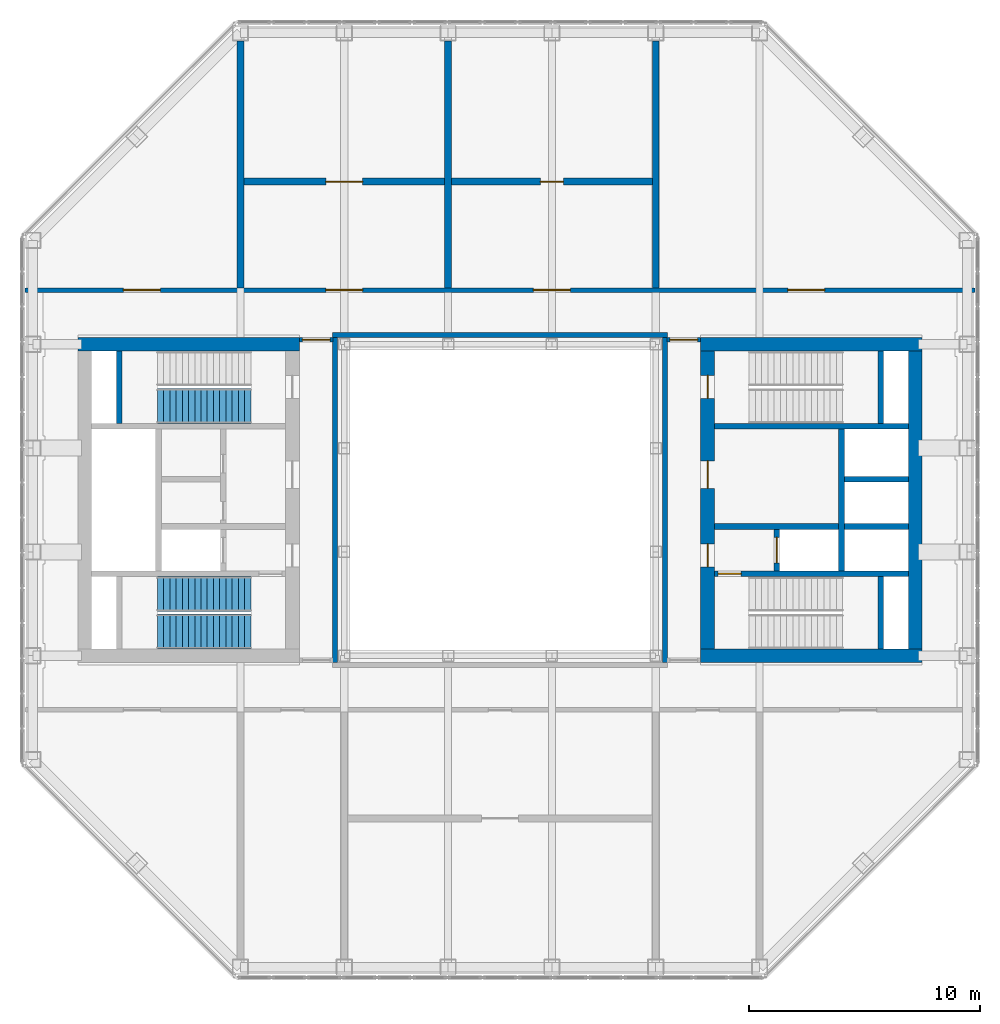
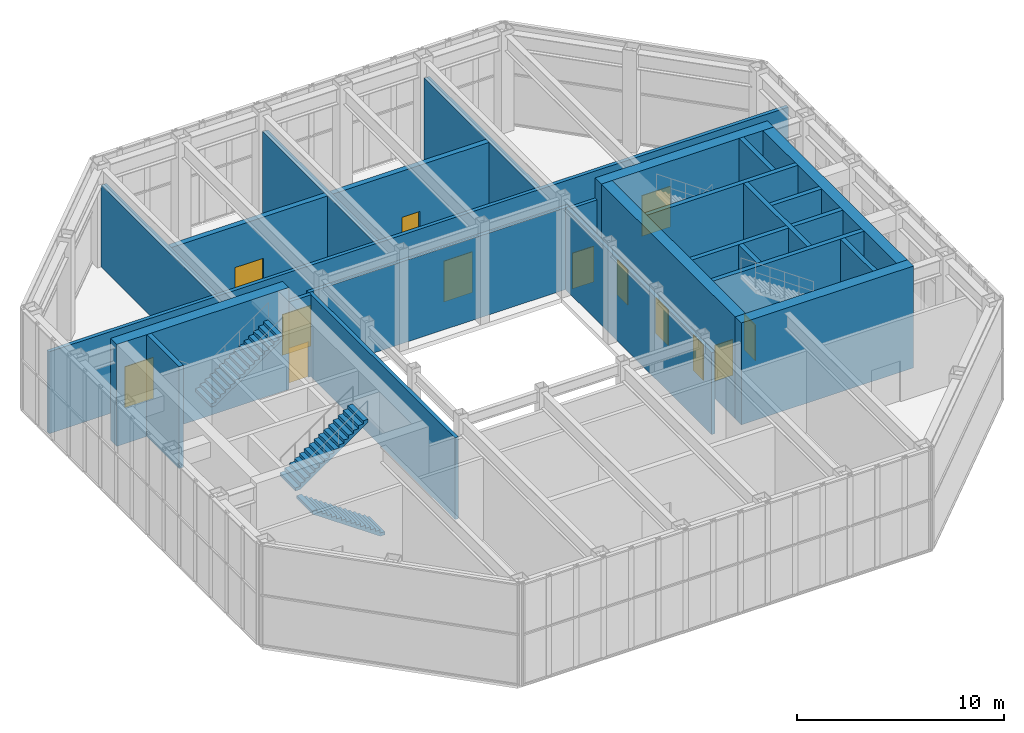
# One storey, part 10 of 12: 26 walls, 13 doors, 3 stair flights, 13 openings, 2 elements without a shape of their own.
"""IFC4 building model written with IfcOpenShell, lengths in metres."""

from ifc_helpers import new_model, si_unit, direction, frame, frame_2d, origin, place, context, subcontext, project, spatial, polyline, rectangle, outline, extrude, material, layer, layer_set, type_object, element, fill, aggregate, save


model = new_model("IFC4")

# Units and contexts
model_context = context("Model", 3, precision=1e-05, world=origin(), true_north=direction((0.0, 1.0)))
body_context = subcontext(model_context, "Body", "Model", "MODEL_VIEW")
ifc_project = project(units=[si_unit("LENGTHUNIT", "METRE"), si_unit("AREAUNIT", "SQUARE_METRE"), si_unit("VOLUMEUNIT", "CUBIC_METRE"), si_unit("PLANEANGLEUNIT", "RADIAN"), si_unit("MASSUNIT", "GRAM", prefix="KILO")], contexts=[model_context])

# Site, building, storey
site_placement = place(None, origin())
site = spatial("IfcSite", under=ifc_project, at=site_placement, CompositionType="ELEMENT")
building_placement = place(site_placement, origin())
building = spatial("IfcBuilding", under=site, at=building_placement, Name="Msasa Ring Tower", CompositionType="ELEMENT")
storey_placement = place(building_placement, frame((0.0, 0.0, 262.050048828125)))
storey = spatial("IfcBuildingStorey", under=building, at=storey_placement, Name="L68", CompositionType="ELEMENT", Elevation=262.050048828125)

# Walls
ifc_material_1 = material(Name="Concrete C60/75", Category="concrete")
ifc_layer_1 = layer(ifc_material_1, 0.60009765625)
ifc_layer_set_1 = layer_set([ifc_layer_1], Name="CW3 CORE WALL 600")
wall_type_1 = type_object("IfcWallType", Name="CW3 CORE WALL 600", PredefinedType="SHEAR", material=ifc_layer_set_1)
for number, where, z_axis, x_axis, name in (
    (1, (8.699951171875, -6.75, 0.0), (0.0, 0.0, 1.0), (1.0, 0.0, 0.0), "E core wall S L68"),
    (2, (8.699951171875, 6.75, 0.0), (0.0, 0.0, 1.0), (1.0, 0.0, 0.0), "E core wall N L68"),
):
    element("IfcWall", number, at=place(storey_placement, frame(where, z_axis=z_axis, x_axis=x_axis)), inside=storey, type_object=wall_type_1, Name=name, PredefinedType="SHEAR", context=body_context, shape_type="SweptSolid", body=[
        extrude(rectangle(XDim=9.60009765625, YDim=0.60009765625, at=frame_2d((4.800048828125, 0.0))), origin(), (0.0, 0.0, 1.0), 6.0),
    ])

# Wall, openings, doors
wall_1_placement = place(storey_placement, frame((9.0, -6.449951171875, 0.0), z_axis=(0.0, 0.0, 1.0), x_axis=(0.0, 1.0, 0.0)))
wall_1 = element("IfcWall", 3, at=wall_1_placement, inside=storey, type_object=wall_type_1, Name="E core wall W L68", PredefinedType="SHEAR", context=body_context, shape_type="SweptSolid", body=[
    extrude(rectangle(XDim=12.89990234375, YDim=0.60009765625, at=frame_2d((6.449951171875, 0.0))), origin(), (0.0, 0.0, 1.0), 6.0),
])
opening_1_placement = place(wall_1_placement, frame((3.550048828125, 0.0, 0.0)))
opening_1 = element("IfcOpeningElement", 4, at=opening_1_placement, cuts=wall_1, Name="Opening L68-016", PredefinedType="OPENING", context=body_context, shape_type="SweptSolid", body=[
    extrude(rectangle(XDim=1.0, YDim=2.10009765625, at=frame_2d((0.5, 1.050048828125))), frame((0.0, 0.31005859375, 0.0), z_axis=(0.0, -1.0, 0.0), x_axis=(1.0, 0.0, 0.0)), (0.0, 0.0, 1.0), 0.6201171875),
])
opening_2_placement = place(wall_1_placement, frame((6.949951171875, 0.0, 0.0)))
opening_2 = element("IfcOpeningElement", 5, at=opening_2_placement, cuts=wall_1, Name="Opening L68-013", PredefinedType="OPENING", context=body_context, shape_type="SweptSolid", body=[
    extrude(rectangle(XDim=1.199951171875, YDim=2.10009765625, at=frame_2d((0.60009765625, 1.050048828125))), frame((0.0, 0.31005859375, 0.0), z_axis=(0.0, -1.0, 0.0), x_axis=(1.0, 0.0, 0.0)), (0.0, 0.0, 1.0), 0.6201171875),
])
opening_3_placement = place(wall_1_placement, frame((10.85009765625, 0.0, 0.0)))
opening_3 = element("IfcOpeningElement", 6, at=opening_3_placement, cuts=wall_1, Name="Opening L68-010", PredefinedType="OPENING", context=body_context, shape_type="SweptSolid", body=[
    extrude(rectangle(XDim=1.0, YDim=2.10009765625, at=frame_2d((0.5, 1.050048828125))), frame((0.0, 0.31005859375, 0.0), z_axis=(0.0, -1.0, 0.0), x_axis=(1.0, 0.0, 0.0)), (0.0, 0.0, 1.0), 0.6201171875),
])
ifc_material_2 = material(Name="Timber door leaf in a steel frame", Category="steel")
door_type_1 = type_object("IfcDoorType", Name="D26 WIDE SERVICE ROOM DOOR 1200x2100", OperationType="SINGLE_SWING_LEFT", PredefinedType="DOOR", material=ifc_material_2)
door_1_placement = place(opening_2_placement, origin())
door_1 = element("IfcDoor", 7, at=door_1_placement, inside=storey, type_object=door_type_1, Name="Door L68-ECR", OperationType="SINGLE_SWING_RIGHT", OverallHeight=2.10009765625, OverallWidth=1.199951171875, PredefinedType="DOOR", context=body_context, shape_type="SweptSolid", body=[
    extrude(rectangle(XDim=1.199951171875, YDim=2.10009765625, at=frame_2d((0.60009765625, 1.050048828125))), frame((0.0, 0.02490234375, 0.0), z_axis=(0.0, -1.0, 0.0), x_axis=(1.0, 0.0, 0.0)), (0.0, 0.0, 1.0), 0.050048828125),
])
fill(opening_2, door_1)
ifc_material_3 = material(Name="Timber door leaf in a steel frame", Category="steel")
door_type_2 = type_object("IfcDoorType", Name="D4 LOBBY DOOR 1000x2100", OperationType="SINGLE_SWING_LEFT", PredefinedType="DOOR", material=ifc_material_3)
door_2_placement = place(opening_1_placement, origin())
door_2 = element("IfcDoor", 8, at=door_2_placement, inside=storey, type_object=door_type_2, Name="Door L68-EFFL", OperationType="SINGLE_SWING_LEFT", OverallHeight=2.10009765625, OverallWidth=1.0, PredefinedType="DOOR", context=body_context, shape_type="SweptSolid", body=[
    extrude(rectangle(XDim=1.0, YDim=2.10009765625, at=frame_2d((0.5, 1.050048828125))), frame((0.0, 0.02490234375, 0.0), z_axis=(0.0, -1.0, 0.0), x_axis=(1.0, 0.0, 0.0)), (0.0, 0.0, 1.0), 0.050048828125),
])
fill(opening_1, door_2)
ifc_material_4 = material(Name="Timber door leaf in a steel frame", Category="steel")
door_type_3 = type_object("IfcDoorType", Name="D6 STAIR DOOR 1000x2100", OperationType="SINGLE_SWING_LEFT", PredefinedType="DOOR", material=ifc_material_4)
door_3_placement = place(opening_3_placement, origin())
door_3 = element("IfcDoor", 9, at=door_3_placement, inside=storey, type_object=door_type_3, Name="Door L68-ESTB", OperationType="SINGLE_SWING_RIGHT", OverallHeight=2.10009765625, OverallWidth=1.0, PredefinedType="DOOR", context=body_context, shape_type="SweptSolid", body=[
    extrude(rectangle(XDim=1.0, YDim=2.10009765625, at=frame_2d((0.5, 1.050048828125))), frame((0.0, 0.02490234375, 0.0), z_axis=(0.0, -1.0, 0.0), x_axis=(1.0, 0.0, 0.0)), (0.0, 0.0, 1.0), 0.050048828125),
])
fill(opening_3, door_3)

# Walls
wall_2_placement = place(storey_placement, frame((18.0, -6.449951171875, 0.0), z_axis=(0.0, 0.0, 1.0), x_axis=(0.0, 1.0, 0.0)))
element("IfcWall", 10, at=wall_2_placement, inside=storey, type_object=wall_type_1, Name="E core wall E L68", PredefinedType="SHEAR", context=body_context, shape_type="SweptSolid", body=[
    extrude(rectangle(XDim=12.89990234375, YDim=0.60009765625, at=frame_2d((6.449951171875, 0.0))), origin(), (0.0, 0.0, 1.0), 6.0),
])
wall_3_placement = place(storey_placement, frame((-8.699951171875, 6.75, 0.0), z_axis=(0.0, 0.0, 1.0), x_axis=(-1.0, 0.0, 0.0)))
element("IfcWall", 11, at=wall_3_placement, inside=storey, type_object=wall_type_1, Name="W core wall N L68", PredefinedType="SHEAR", context=body_context, shape_type="SweptSolid", body=[
    extrude(rectangle(XDim=9.60009765625, YDim=0.60009765625, at=frame_2d((4.800048828125, 0.0))), origin(), (0.0, 0.0, 1.0), 6.0),
])

# Wall, opening, door
ifc_material_5 = material(Name="Concrete C60/75", Category="concrete")
ifc_layer_2 = layer(ifc_material_5, 0.25)
ifc_layer_set_2 = layer_set([ifc_layer_2], Name="CW4 CORE INNER WALL 250")
wall_type_2 = type_object("IfcWallType", Name="CW4 CORE INNER WALL 250", PredefinedType="SHEAR", material=ifc_layer_set_2)
wall_4_placement = place(storey_placement, frame((9.300048828125, -3.199951171875, 0.0), z_axis=(0.0, 0.0, 1.0), x_axis=(1.0, 0.0, 0.0)))
wall_4 = element("IfcWall", 12, at=wall_4_placement, inside=storey, type_object=wall_type_2, Name="E core wall STAIRA L68", PredefinedType="SHEAR", context=body_context, shape_type="SweptSolid", body=[
    extrude(rectangle(XDim=8.39990234375, YDim=0.25, at=frame_2d((4.199951171875, 0.0))), origin(), (0.0, 0.0, 1.0), 6.0),
])
opening_4_placement = place(wall_4_placement, frame((0.14990234375, 0.0, 0.0)))
opening_4 = element("IfcOpeningElement", 13, at=opening_4_placement, cuts=wall_4, Name="Opening L68-018", PredefinedType="OPENING", context=body_context, shape_type="SweptSolid", body=[
    extrude(rectangle(XDim=1.0, YDim=2.10009765625, at=frame_2d((0.5, 1.050048828125))), frame((0.0, 0.135009765625, 0.0), z_axis=(0.0, -1.0, 0.0), x_axis=(1.0, 0.0, 0.0)), (0.0, 0.0, 1.0), 0.27001953125),
])
door_4_placement = place(opening_4_placement, origin())
door_4 = element("IfcDoor", 14, at=door_4_placement, inside=storey, type_object=door_type_3, Name="Door L68-ESTA", OperationType="SINGLE_SWING_LEFT", OverallHeight=2.10009765625, OverallWidth=1.0, PredefinedType="DOOR", context=body_context, shape_type="SweptSolid", body=[
    extrude(rectangle(XDim=1.0, YDim=2.10009765625, at=frame_2d((0.5, 1.050048828125))), frame((0.0, 0.02490234375, 0.0), z_axis=(0.0, -1.0, 0.0), x_axis=(1.0, 0.0, 0.0)), (0.0, 0.0, 1.0), 0.050048828125),
])
fill(opening_4, door_4)

# Walls
wall_5_placement = place(storey_placement, frame((9.300048828125, 3.199951171875, 0.0), z_axis=(0.0, 0.0, 1.0), x_axis=(1.0, 0.0, 0.0)))
element("IfcWall", 15, at=wall_5_placement, inside=storey, type_object=wall_type_2, Name="E core wall STAIRB L68", PredefinedType="SHEAR", context=body_context, shape_type="SweptSolid", body=[
    extrude(rectangle(XDim=8.39990234375, YDim=0.25, at=frame_2d((4.199951171875, 0.0))), origin(), (0.0, 0.0, 1.0), 6.0),
])
for number, where, z_axis, x_axis, name in (
    (16, (16.5, -6.449951171875, 0.0), (0.0, 0.0, 1.0), (0.0, 1.0, 0.0), "E core wall RISERA L68"),
    (17, (16.5, 3.324951171875, 0.0), (0.0, 0.0, 1.0), (0.0, 1.0, 0.0), "E core wall RISERB L68"),
):
    element("IfcWall", number, at=place(storey_placement, frame(where, z_axis=z_axis, x_axis=x_axis)), inside=storey, type_object=wall_type_2, Name=name, PredefinedType="SHEAR", context=body_context, shape_type="SweptSolid", body=[
        extrude(rectangle(XDim=3.125, YDim=0.25, at=frame_2d((1.5625, 0.0))), origin(), (0.0, 0.0, 1.0), 6.0),
    ])
wall_6_placement = place(storey_placement, frame((9.300048828125, -1.14990234375, 0.0), z_axis=(0.0, 0.0, 1.0), x_axis=(1.0, 0.0, 0.0)))
element("IfcWall", 18, at=wall_6_placement, inside=storey, type_object=wall_type_2, Name="E core wall FFL L68", PredefinedType="SHEAR", context=body_context, shape_type="SweptSolid", body=[
    extrude(rectangle(XDim=5.375, YDim=0.25, at=frame_2d((2.6875, 0.0))), origin(), (0.0, 0.0, 1.0), 6.0),
])

# Wall, opening, door
wall_7_placement = place(storey_placement, frame((12.0, -3.074951171875, 0.0), z_axis=(0.0, 0.0, 1.0), x_axis=(0.0, 1.0, 0.0)))
wall_7 = element("IfcWall", 19, at=wall_7_placement, inside=storey, type_object=wall_type_2, Name="E core wall LOBBY L68", PredefinedType="SHEAR", context=body_context, shape_type="SweptSolid", body=[
    extrude(rectangle(XDim=1.800048828125, YDim=0.25, at=frame_2d((0.89990234375, 0.0))), origin(), (0.0, 0.0, 1.0), 6.0),
])
opening_5_placement = place(wall_7_placement, frame((0.35009765625, 0.0, 0.0)))
opening_5 = element("IfcOpeningElement", 20, at=opening_5_placement, cuts=wall_7, Name="Opening LD1", PredefinedType="OPENING", context=body_context, shape_type="SweptSolid", body=[
    extrude(rectangle(XDim=1.10009765625, YDim=2.10009765625, at=frame_2d((0.550048828125, 1.050048828125))), frame((0.0, 0.135009765625, 0.0), z_axis=(0.0, -1.0, 0.0), x_axis=(1.0, 0.0, 0.0)), (0.0, 0.0, 1.0), 0.27001953125),
])
ifc_material_6 = material(Name="Stainless steel lift landing door", Category="steel")
door_type_4 = type_object("IfcDoorType", Name="LD1 LIFT LANDING DOOR 1100x2100", OperationType="DOUBLE_DOOR_SLIDING", PredefinedType="DOOR", material=ifc_material_6)
door_5_placement = place(opening_5_placement, origin())
door_5 = element("IfcDoor", 21, at=door_5_placement, inside=storey, type_object=door_type_4, Name="Lift landing door FL-E L68", OperationType="DOUBLE_DOOR_SLIDING", OverallHeight=2.10009765625, OverallWidth=1.10009765625, PredefinedType="DOOR", context=body_context, shape_type="SweptSolid", body=[
    extrude(rectangle(XDim=1.10009765625, YDim=2.10009765625, at=frame_2d((0.550048828125, 1.050048828125))), frame((0.0, 0.02490234375, 0.0), z_axis=(0.0, -1.0, 0.0), x_axis=(1.0, 0.0, 0.0)), (0.0, 0.0, 1.0), 0.050048828125),
])
fill(opening_5, door_5)

# Walls
wall_8_placement = place(storey_placement, frame((14.800048828125, -3.074951171875, 0.0), z_axis=(0.0, 0.0, 1.0), x_axis=(0.0, 1.0, 0.0)))
element("IfcWall", 22, at=wall_8_placement, inside=storey, type_object=wall_type_2, Name="E core wall SHAFT L68", PredefinedType="SHEAR", context=body_context, shape_type="SweptSolid", body=[
    extrude(rectangle(XDim=6.14990234375, YDim=0.25, at=frame_2d((3.074951171875, 0.0))), origin(), (0.0, 0.0, 1.0), 6.0),
])
for number, where, z_axis, x_axis, name in (
    (23, (14.925048828125, -1.14990234375, 0.0), (0.0, 0.0, 1.0), (1.0, 0.0, 0.0), "E core wall HSEP L68"),
    (24, (14.925048828125, 0.89990234375, 0.0), (0.0, 0.0, 1.0), (1.0, 0.0, 0.0), "E core wall HLIFT L68"),
):
    element("IfcWall", number, at=place(storey_placement, frame(where, z_axis=z_axis, x_axis=x_axis)), inside=storey, type_object=wall_type_2, Name=name, PredefinedType="SHEAR", context=body_context, shape_type="SweptSolid", body=[
        extrude(rectangle(XDim=2.77490234375, YDim=0.25, at=frame_2d((1.387451171875, 0.0))), origin(), (0.0, 0.0, 1.0), 6.0),
    ])
wall_9_placement = place(storey_placement, frame((-16.5, 3.324951171875, 0.0), z_axis=(0.0, 0.0, 1.0), x_axis=(0.0, 1.0, 0.0)))
element("IfcWall", 25, at=wall_9_placement, inside=storey, type_object=wall_type_2, Name="W core wall RISERB L68", PredefinedType="SHEAR", context=body_context, shape_type="SweptSolid", body=[
    extrude(rectangle(XDim=3.125, YDim=0.25, at=frame_2d((1.5625, 0.0))), origin(), (0.0, 0.0, 1.0), 6.0),
])
ifc_material_7 = material(Name="Terracotta rainscreen on blockwork", Category="masonry")
ifc_layer_3 = layer(ifc_material_7, 0.199951171875)
ifc_layer_set_3 = layer_set([ifc_layer_3], Name="FW4 LIGHT WELL WALL 200")
wall_type_3 = type_object("IfcWallType", Name="FW4 LIGHT WELL WALL 200", PredefinedType="SOLIDWALL", material=ifc_layer_set_3)
wall_10_placement = place(storey_placement, frame((-7.25, 7.14990234375, 0.0), z_axis=(0.0, 0.0, 1.0), x_axis=(1.0, 0.0, 0.0)))
element("IfcWall", 26, at=wall_10_placement, inside=storey, type_object=wall_type_3, Name="Light well wall N L68", PredefinedType="SOLIDWALL", context=body_context, shape_type="SweptSolid", body=[
    extrude(rectangle(XDim=14.5, YDim=0.199951171875, at=frame_2d((7.25, 0.0))), origin(), (0.0, 0.0, 1.0), 4.8232421875),
])
for number, where, z_axis, x_axis, name in (
    (27, (7.14990234375, -7.050048828125, 0.0), (0.0, 0.0, 1.0), (0.0, 1.0, 0.0), "Light well wall E L68"),
    (28, (-7.14990234375, -7.050048828125, 0.0), (0.0, 0.0, 1.0), (0.0, 1.0, 0.0), "Light well wall W L68"),
):
    element("IfcWall", number, at=place(storey_placement, frame(where, z_axis=z_axis, x_axis=x_axis)), inside=storey, type_object=wall_type_3, Name=name, PredefinedType="SOLIDWALL", context=body_context, shape_type="SweptSolid", body=[
        extrude(rectangle(XDim=14.10009765625, YDim=0.199951171875, at=frame_2d((7.050048828125, 0.0))), origin(), (0.0, 0.0, 1.0), 4.8232421875),
    ])

# Wall, opening, door
ifc_material_8 = material(Name="Concrete blockwork", Category="masonry")
ifc_layer_4 = layer(ifc_material_8, 0.199951171875)
ifc_layer_set_4 = layer_set([ifc_layer_4], Name="PT1 CORRIDOR WALL 200")
wall_type_4 = type_object("IfcWallType", Name="PT1 CORRIDOR WALL 200", PredefinedType="PARTITIONING", material=ifc_layer_set_4)
wall_11_placement = place(storey_placement, frame((7.22998046875, 6.949951171875, 0.0), z_axis=(0.0, 0.0, 1.0), x_axis=(1.0, 0.0, 0.0)))
wall_11 = element("IfcWall", 29, at=wall_11_placement, inside=storey, type_object=wall_type_4, Name="Corridor wall L68-SDEN", PredefinedType="PARTITIONING", context=body_context, shape_type="SweptSolid", body=[
    extrude(rectangle(XDim=1.469970703125, YDim=0.199951171875, at=frame_2d((0.73486328125, 0.0))), origin(), (0.0, 0.0, 1.0), 4.8232421875),
])
opening_6_placement = place(wall_11_placement, frame((0.135009765625, 0.0, 0.0)))
opening_6 = element("IfcOpeningElement", 30, at=opening_6_placement, cuts=wall_11, Name="Opening L68-008", PredefinedType="OPENING", context=body_context, shape_type="SweptSolid", body=[
    extrude(rectangle(XDim=1.199951171875, YDim=2.10009765625, at=frame_2d((0.60009765625, 1.050048828125))), frame((0.0, 0.10986328125, 0.0), z_axis=(0.0, -1.0, 0.0), x_axis=(1.0, 0.0, 0.0)), (0.0, 0.0, 1.0), 0.219970703125),
])
ifc_material_9 = material(Name="Timber door leaf in a steel frame", Category="steel")
door_type_5 = type_object("IfcDoorType", Name="D25 CORRIDOR PAIR OF SMOKE DOORS 1200x2100", OperationType="DOUBLE_DOOR_DOUBLE_SWING", PredefinedType="DOOR", material=ifc_material_9)
door_6_placement = place(opening_6_placement, origin())
door_6 = element("IfcDoor", 31, at=door_6_placement, inside=storey, type_object=door_type_5, Name="Door L68-SDEN", OperationType="DOUBLE_DOOR_DOUBLE_SWING", OverallHeight=2.10009765625, OverallWidth=1.199951171875, PredefinedType="DOOR", context=body_context, shape_type="SweptSolid", body=[
    extrude(rectangle(XDim=1.199951171875, YDim=2.10009765625, at=frame_2d((0.60009765625, 1.050048828125))), frame((0.0, 0.02490234375, 0.0), z_axis=(0.0, -1.0, 0.0), x_axis=(1.0, 0.0, 0.0)), (0.0, 0.0, 1.0), 0.050048828125),
])
fill(opening_6, door_6)

wall_12_placement = place(storey_placement, frame((-8.699951171875, 6.949951171875, 0.0), z_axis=(0.0, 0.0, 1.0), x_axis=(1.0, 0.0, 0.0)))
wall_12 = element("IfcWall", 32, at=wall_12_placement, inside=storey, type_object=wall_type_4, Name="Corridor wall L68-SDWN", PredefinedType="PARTITIONING", context=body_context, shape_type="SweptSolid", body=[
    extrude(rectangle(XDim=1.469970703125, YDim=0.199951171875, at=frame_2d((0.73486328125, 0.0))), origin(), (0.0, 0.0, 1.0), 4.8232421875),
])
opening_7_placement = place(wall_12_placement, frame((0.135009765625, 0.0, 0.0)))
opening_7 = element("IfcOpeningElement", 33, at=opening_7_placement, cuts=wall_12, Name="Opening L68-007", PredefinedType="OPENING", context=body_context, shape_type="SweptSolid", body=[
    extrude(rectangle(XDim=1.199951171875, YDim=2.10009765625, at=frame_2d((0.60009765625, 1.050048828125))), frame((0.0, 0.10986328125, 0.0), z_axis=(0.0, -1.0, 0.0), x_axis=(1.0, 0.0, 0.0)), (0.0, 0.0, 1.0), 0.219970703125),
])
door_7_placement = place(opening_7_placement, origin())
door_7 = element("IfcDoor", 34, at=door_7_placement, inside=storey, type_object=door_type_5, Name="Door L68-SDWN", OperationType="DOUBLE_DOOR_DOUBLE_SWING", OverallHeight=2.10009765625, OverallWidth=1.199951171875, PredefinedType="DOOR", context=body_context, shape_type="SweptSolid", body=[
    extrude(rectangle(XDim=1.199951171875, YDim=2.10009765625, at=frame_2d((0.60009765625, 1.050048828125))), frame((0.0, 0.02490234375, 0.0), z_axis=(0.0, -1.0, 0.0), x_axis=(1.0, 0.0, 0.0)), (0.0, 0.0, 1.0), 0.050048828125),
])
fill(opening_7, door_7)

# Wall, openings, doors
wall_13_placement = place(storey_placement, frame((-20.590087890625, 9.10009765625, 0.0), z_axis=(0.0, 0.0, 1.0), x_axis=(1.0, 0.0, 0.0)))
wall_13 = element("IfcWall", 35, at=wall_13_placement, inside=storey, type_object=wall_type_4, Name="Corridor wall L68-CORRN0", PredefinedType="PARTITIONING", context=body_context, shape_type="SweptSolid", body=[
    extrude(rectangle(XDim=41.18017578125, YDim=0.199951171875, at=frame_2d((20.590087890625, 0.0))), origin(), (0.0, 0.0, 1.0), 4.8232421875),
])
opening_8_placement = place(wall_13_placement, frame((4.264892578125, 0.0, 0.0)))
opening_8 = element("IfcOpeningElement", 36, at=opening_8_placement, cuts=wall_13, Name="Opening L68-003", PredefinedType="OPENING", context=body_context, shape_type="SweptSolid", body=[
    extrude(rectangle(XDim=1.60009765625, YDim=2.39990234375, at=frame_2d((0.800048828125, 1.199951171875))), frame((0.0, 0.10986328125, 0.0), z_axis=(0.0, -1.0, 0.0), x_axis=(1.0, 0.0, 0.0)), (0.0, 0.0, 1.0), 0.219970703125),
])
opening_9_placement = place(wall_13_placement, frame((13.0400390625, 0.0, 0.0)))
opening_9 = element("IfcOpeningElement", 37, at=opening_9_placement, cuts=wall_13, Name="Opening L68-004", PredefinedType="OPENING", context=body_context, shape_type="SweptSolid", body=[
    extrude(rectangle(XDim=1.60009765625, YDim=2.39990234375, at=frame_2d((0.800048828125, 1.199951171875))), frame((0.0, 0.10986328125, 0.0), z_axis=(0.0, -1.0, 0.0), x_axis=(1.0, 0.0, 0.0)), (0.0, 0.0, 1.0), 0.219970703125),
])
opening_10_placement = place(wall_13_placement, frame((22.0400390625, 0.0, 0.0)))
opening_10 = element("IfcOpeningElement", 38, at=opening_10_placement, cuts=wall_13, Name="Opening L68-005", PredefinedType="OPENING", context=body_context, shape_type="SweptSolid", body=[
    extrude(rectangle(XDim=1.60009765625, YDim=2.39990234375, at=frame_2d((0.800048828125, 1.199951171875))), frame((0.0, 0.10986328125, 0.0), z_axis=(0.0, -1.0, 0.0), x_axis=(1.0, 0.0, 0.0)), (0.0, 0.0, 1.0), 0.219970703125),
])
opening_11_placement = place(wall_13_placement, frame((33.06494140625, 0.0, 0.0)))
opening_11 = element("IfcOpeningElement", 39, at=opening_11_placement, cuts=wall_13, Name="Opening L68-006", PredefinedType="OPENING", context=body_context, shape_type="SweptSolid", body=[
    extrude(rectangle(XDim=1.60009765625, YDim=2.39990234375, at=frame_2d((0.800048828125, 1.199951171875))), frame((0.0, 0.10986328125, 0.0), z_axis=(0.0, -1.0, 0.0), x_axis=(1.0, 0.0, 0.0)), (0.0, 0.0, 1.0), 0.219970703125),
])
ifc_material_10 = material(Name="Timber door leaf in a steel frame", Category="steel")
door_type_6 = type_object("IfcDoorType", Name="D20 PLANT ROOM PAIR OF DOORS 1600x2400", OperationType="SINGLE_SWING_LEFT", PredefinedType="DOOR", material=ifc_material_10)
door_8_placement = place(opening_8_placement, origin())
door_8 = element("IfcDoor", 40, at=door_8_placement, inside=storey, type_object=door_type_6, Name="Door L68-LPN0", OperationType="SINGLE_SWING_LEFT", OverallHeight=2.39990234375, OverallWidth=1.60009765625, PredefinedType="DOOR", context=body_context, shape_type="SweptSolid", body=[
    extrude(rectangle(XDim=1.60009765625, YDim=2.39990234375, at=frame_2d((0.800048828125, 1.199951171875))), frame((0.0, 0.02490234375, 0.0), z_axis=(0.0, -1.0, 0.0), x_axis=(1.0, 0.0, 0.0)), (0.0, 0.0, 1.0), 0.050048828125),
])
fill(opening_8, door_8)
door_9_placement = place(opening_9_placement, origin())
door_9 = element("IfcDoor", 41, at=door_9_placement, inside=storey, type_object=door_type_6, Name="Door L68-LPN1A", OperationType="SINGLE_SWING_LEFT", OverallHeight=2.39990234375, OverallWidth=1.60009765625, PredefinedType="DOOR", context=body_context, shape_type="SweptSolid", body=[
    extrude(rectangle(XDim=1.60009765625, YDim=2.39990234375, at=frame_2d((0.800048828125, 1.199951171875))), frame((0.0, 0.02490234375, 0.0), z_axis=(0.0, -1.0, 0.0), x_axis=(1.0, 0.0, 0.0)), (0.0, 0.0, 1.0), 0.050048828125),
])
fill(opening_9, door_9)
door_10_placement = place(opening_10_placement, origin())
door_10 = element("IfcDoor", 42, at=door_10_placement, inside=storey, type_object=door_type_6, Name="Door L68-LPN2A", OperationType="SINGLE_SWING_RIGHT", OverallHeight=2.39990234375, OverallWidth=1.60009765625, PredefinedType="DOOR", context=body_context, shape_type="SweptSolid", body=[
    extrude(rectangle(XDim=1.60009765625, YDim=2.39990234375, at=frame_2d((0.800048828125, 1.199951171875))), frame((0.0, 0.02490234375, 0.0), z_axis=(0.0, -1.0, 0.0), x_axis=(1.0, 0.0, 0.0)), (0.0, 0.0, 1.0), 0.050048828125),
])
fill(opening_10, door_10)
door_11_placement = place(opening_11_placement, origin())
door_11 = element("IfcDoor", 43, at=door_11_placement, inside=storey, type_object=door_type_6, Name="Door L68-LPN3", OperationType="SINGLE_SWING_RIGHT", OverallHeight=2.39990234375, OverallWidth=1.60009765625, PredefinedType="DOOR", context=body_context, shape_type="SweptSolid", body=[
    extrude(rectangle(XDim=1.60009765625, YDim=2.39990234375, at=frame_2d((0.800048828125, 1.199951171875))), frame((0.0, 0.02490234375, 0.0), z_axis=(0.0, -1.0, 0.0), x_axis=(1.0, 0.0, 0.0)), (0.0, 0.0, 1.0), 0.050048828125),
])
fill(opening_11, door_11)

# Wall
ifc_material_11 = material(Name="Dense concrete blockwork, fair faced", Category="masonry")
ifc_layer_5 = layer(ifc_material_11, 0.300048828125)
ifc_layer_set_5 = layer_set([ifc_layer_5], Name="PT7 PLANT ROOM WALL 300")
wall_type_5 = type_object("IfcWallType", Name="PT7 PLANT ROOM WALL 300", PredefinedType="PARTITIONING", material=ifc_layer_set_5)
wall_14_placement = place(storey_placement, frame((-11.25, 9.199951171875, 0.0), z_axis=(0.0, 0.0, 1.0), x_axis=(0.0, 1.0, 0.0)))
element("IfcWall", 44, at=wall_14_placement, inside=storey, type_object=wall_type_5, Name="Partition L68-LPNW1", PredefinedType="PARTITIONING", context=body_context, shape_type="SweptSolid", body=[
    extrude(rectangle(XDim=10.699951171875, YDim=0.300048828125, at=frame_2d((5.35009765625, 0.0))), origin(), (0.0, 0.0, 1.0), 4.8232421875),
])

# Wall, opening, door
wall_15_placement = place(storey_placement, frame((-11.10009765625, 13.800048828125, 0.0), z_axis=(0.0, 0.0, 1.0), x_axis=(1.0, 0.0, 0.0)))
wall_15 = element("IfcWall", 45, at=wall_15_placement, inside=storey, type_object=wall_type_5, Name="Partition L68-LPNS1", PredefinedType="PARTITIONING", context=body_context, shape_type="SweptSolid", body=[
    extrude(rectangle(XDim=8.7001953125, YDim=0.300048828125, at=frame_2d((4.35009765625, 0.0))), origin(), (0.0, 0.0, 1.0), 4.8232421875),
])
opening_12_placement = place(wall_15_placement, frame((3.550048828125, 0.0, 0.0)))
opening_12 = element("IfcOpeningElement", 46, at=opening_12_placement, cuts=wall_15, Name="Opening L68-001", PredefinedType="OPENING", context=body_context, shape_type="SweptSolid", body=[
    extrude(rectangle(XDim=1.60009765625, YDim=2.39990234375, at=frame_2d((0.800048828125, 1.199951171875))), frame((0.0, 0.159912109375, 0.0), z_axis=(0.0, -1.0, 0.0), x_axis=(1.0, 0.0, 0.0)), (0.0, 0.0, 1.0), 0.320068359375),
])
door_12_placement = place(opening_12_placement, origin())
door_12 = element("IfcDoor", 47, at=door_12_placement, inside=storey, type_object=door_type_6, Name="Door L68-LPN1B", OperationType="SINGLE_SWING_LEFT", OverallHeight=2.39990234375, OverallWidth=1.60009765625, PredefinedType="DOOR", context=body_context, shape_type="SweptSolid", body=[
    extrude(rectangle(XDim=1.60009765625, YDim=2.39990234375, at=frame_2d((0.800048828125, 1.199951171875))), frame((0.0, 0.02490234375, 0.0), z_axis=(0.0, -1.0, 0.0), x_axis=(1.0, 0.0, 0.0)), (0.0, 0.0, 1.0), 0.050048828125),
])
fill(opening_12, door_12)

# Wall
wall_16_placement = place(storey_placement, frame((-2.25, 9.199951171875, 0.0), z_axis=(0.0, 0.0, 1.0), x_axis=(0.0, 1.0, 0.0)))
element("IfcWall", 48, at=wall_16_placement, inside=storey, type_object=wall_type_5, Name="Partition L68-LPNW2", PredefinedType="PARTITIONING", context=body_context, shape_type="SweptSolid", body=[
    extrude(rectangle(XDim=10.699951171875, YDim=0.300048828125, at=frame_2d((5.35009765625, 0.0))), origin(), (0.0, 0.0, 1.0), 4.8232421875),
])

# Wall, opening, door
wall_17_placement = place(storey_placement, frame((-2.10009765625, 13.800048828125, 0.0), z_axis=(0.0, 0.0, 1.0), x_axis=(1.0, 0.0, 0.0)))
wall_17 = element("IfcWall", 49, at=wall_17_placement, inside=storey, type_object=wall_type_5, Name="Partition L68-LPNS2", PredefinedType="PARTITIONING", context=body_context, shape_type="SweptSolid", body=[
    extrude(rectangle(XDim=8.7001953125, YDim=0.300048828125, at=frame_2d((4.35009765625, 0.0))), origin(), (0.0, 0.0, 1.0), 4.8232421875),
])
opening_13_placement = place(wall_17_placement, frame((3.85009765625, 0.0, 0.0)))
opening_13 = element("IfcOpeningElement", 50, at=opening_13_placement, cuts=wall_17, Name="Opening L68-002", PredefinedType="OPENING", context=body_context, shape_type="SweptSolid", body=[
    extrude(rectangle(XDim=1.0, YDim=2.10009765625, at=frame_2d((0.5, 1.050048828125))), frame((0.0, 0.159912109375, 0.0), z_axis=(0.0, -1.0, 0.0), x_axis=(1.0, 0.0, 0.0)), (0.0, 0.0, 1.0), 0.320068359375),
])
ifc_material_12 = material(Name="Timber door leaf in a steel frame", Category="steel")
door_type_7 = type_object("IfcDoorType", Name="D13 PLANT ROOM DOOR 1000x2100", OperationType="SINGLE_SWING_LEFT", PredefinedType="DOOR", material=ifc_material_12)
door_13_placement = place(opening_13_placement, origin())
door_13 = element("IfcDoor", 51, at=door_13_placement, inside=storey, type_object=door_type_7, Name="Door L68-LPN2B", OperationType="SINGLE_SWING_LEFT", OverallHeight=2.10009765625, OverallWidth=1.0, PredefinedType="DOOR", context=body_context, shape_type="SweptSolid", body=[
    extrude(rectangle(XDim=1.0, YDim=2.10009765625, at=frame_2d((0.5, 1.050048828125))), frame((0.0, 0.02490234375, 0.0), z_axis=(0.0, -1.0, 0.0), x_axis=(1.0, 0.0, 0.0)), (0.0, 0.0, 1.0), 0.050048828125),
])
fill(opening_13, door_13)

# Wall
wall_18_placement = place(storey_placement, frame((6.75, 9.199951171875, 0.0), z_axis=(0.0, 0.0, 1.0), x_axis=(0.0, 1.0, 0.0)))
element("IfcWall", 52, at=wall_18_placement, inside=storey, type_object=wall_type_5, Name="Partition L68-LPNW3", PredefinedType="PARTITIONING", context=body_context, shape_type="SweptSolid", body=[
    extrude(rectangle(XDim=10.699951171875, YDim=0.300048828125, at=frame_2d((5.35009765625, 0.0))), origin(), (0.0, 0.0, 1.0), 4.8232421875),
])

# Stair, stair flights
ifc_material_13 = material(Name="Concrete C40/50", Category="concrete")
stair_type = type_object("IfcStairType", Name="STC CORE STAIR 32 RISERS 187.5", PredefinedType="HALF_TURN_STAIR", material=ifc_material_13)
stair_1_placement = place(storey_placement, origin())
stair_1 = element("IfcStair", 53, at=stair_1_placement, inside=storey, type_object=stair_type, Name="Core stair SWA L68", PredefinedType="HALF_TURN_STAIR")
ifc_material_14 = material(Name="Concrete C40/50", Category="concrete")
stair_flight_type = type_object("IfcStairFlightType", Name="ST17 CORE STAIR FLIGHT 1500 16 RISERS 187.5", PredefinedType="STRAIGHT", material=ifc_material_14)
stair_flight_1_placement = place(storey_placement, frame((-10.800048828125, -5.699951171875, 0.0), z_axis=(0.0, 0.0, 1.0), x_axis=(-1.0, 0.0, 0.0)))
stair_flight_1 = element("IfcStairFlight", 54, at=stair_flight_1_placement, type_object=stair_flight_type, Name="SWA flight 1", NumberOfRisers=16, NumberOfTreads=15, PredefinedType="STRAIGHT", RiserHeight=0.1875, TreadLength=0.27, context=body_context, shape_type="SweptSolid", body=[
    extrude(outline(polyline([(0.0, 0.0), (0.0, 0.1875), (0.27001953125, 0.1875), (0.27001953125, 0.375), (0.5400390625, 0.375), (0.5400390625, 0.5625), (0.81005859375, 0.5625), (0.81005859375, 0.75), (1.080078125, 0.75), (1.080078125, 0.9375), (1.35009765625, 0.9375), (1.35009765625, 1.125), (1.6201171875, 1.125), (1.6201171875, 1.3125), (1.889892578125, 1.3125), (1.889892578125, 1.5), (2.159912109375, 1.5), (2.159912109375, 1.6875), (2.429931640625, 1.6875), (2.429931640625, 1.875), (2.699951171875, 1.875), (2.699951171875, 2.0625), (2.969970703125, 2.0625), (2.969970703125, 2.25), (3.239990234375, 2.25), (3.239990234375, 2.4375), (3.510009765625, 2.4375), (3.510009765625, 2.625), (3.780029296875, 2.625), (3.780029296875, 2.8125), (4.050048828125, 2.8125), (4.050048828125, 3.0), (4.050048828125, 2.6298828125), (0.2626953125, 0.0), (0.0, 0.0)])), frame((0.0, 0.75, 0.0), z_axis=(0.0, -1.0, 0.0), x_axis=(1.0, 0.0, 0.0)), (0.0, 0.0, 1.0), 1.5),
])
stair_flight_2_placement = place(storey_placement, frame((-14.85009765625, -4.074951171875, 3.0), z_axis=(0.0, 0.0, 1.0), x_axis=(1.0, 0.0, 0.0)))
stair_flight_2 = element("IfcStairFlight", 55, at=stair_flight_2_placement, type_object=stair_flight_type, Name="SWA flight 2", NumberOfRisers=16, NumberOfTreads=15, PredefinedType="STRAIGHT", RiserHeight=0.1875, TreadLength=0.27, context=body_context, shape_type="SweptSolid", body=[
    extrude(outline(polyline([(0.0, 0.0), (0.0, 0.1875), (0.27001953125, 0.1875), (0.27001953125, 0.375), (0.5400390625, 0.375), (0.5400390625, 0.5625), (0.81005859375, 0.5625), (0.81005859375, 0.75), (1.080078125, 0.75), (1.080078125, 0.9375), (1.35009765625, 0.9375), (1.35009765625, 1.125), (1.6201171875, 1.125), (1.6201171875, 1.3125), (1.889892578125, 1.3125), (1.889892578125, 1.5), (2.159912109375, 1.5), (2.159912109375, 1.6875), (2.429931640625, 1.6875), (2.429931640625, 1.875), (2.699951171875, 1.875), (2.699951171875, 2.0625), (2.969970703125, 2.0625), (2.969970703125, 2.25), (3.239990234375, 2.25), (3.239990234375, 2.4375), (3.510009765625, 2.4375), (3.510009765625, 2.625), (3.780029296875, 2.625), (3.780029296875, 2.8125), (4.050048828125, 2.8125), (4.050048828125, 3.0), (4.050048828125, 2.6298828125), (0.2626953125, 0.0), (0.0, 0.0)])), frame((0.0, 0.75, 0.0), z_axis=(0.0, -1.0, 0.0), x_axis=(1.0, 0.0, 0.0)), (0.0, 0.0, 1.0), 1.5),
])
aggregate(stair_1, [stair_flight_1, stair_flight_2])

# Stair, stair flight
stair_2_placement = place(storey_placement, origin())
stair_2 = element("IfcStair", 56, at=stair_2_placement, inside=storey, type_object=stair_type, Name="Core stair SWB L68", PredefinedType="HALF_TURN_STAIR")
stair_flight_3_placement = place(storey_placement, frame((-14.85009765625, 4.074951171875, 3.0), z_axis=(0.0, 0.0, 1.0), x_axis=(1.0, 0.0, 0.0)))
stair_flight_3 = element("IfcStairFlight", 57, at=stair_flight_3_placement, type_object=stair_flight_type, Name="SWB flight 2", NumberOfRisers=16, NumberOfTreads=15, PredefinedType="STRAIGHT", RiserHeight=0.1875, TreadLength=0.27, context=body_context, shape_type="SweptSolid", body=[
    extrude(outline(polyline([(0.0, 0.0), (0.0, 0.1875), (0.27001953125, 0.1875), (0.27001953125, 0.375), (0.5400390625, 0.375), (0.5400390625, 0.5625), (0.81005859375, 0.5625), (0.81005859375, 0.75), (1.080078125, 0.75), (1.080078125, 0.9375), (1.35009765625, 0.9375), (1.35009765625, 1.125), (1.6201171875, 1.125), (1.6201171875, 1.3125), (1.889892578125, 1.3125), (1.889892578125, 1.5), (2.159912109375, 1.5), (2.159912109375, 1.6875), (2.429931640625, 1.6875), (2.429931640625, 1.875), (2.699951171875, 1.875), (2.699951171875, 2.0625), (2.969970703125, 2.0625), (2.969970703125, 2.25), (3.239990234375, 2.25), (3.239990234375, 2.4375), (3.510009765625, 2.4375), (3.510009765625, 2.625), (3.780029296875, 2.625), (3.780029296875, 2.8125), (4.050048828125, 2.8125), (4.050048828125, 3.0), (4.050048828125, 2.6298828125), (0.2626953125, 0.0), (0.0, 0.0)])), frame((0.0, 0.75, 0.0), z_axis=(0.0, -1.0, 0.0), x_axis=(1.0, 0.0, 0.0)), (0.0, 0.0, 1.0), 1.5),
])
aggregate(stair_2, [stair_flight_3])

save(model, "model.ifc")
